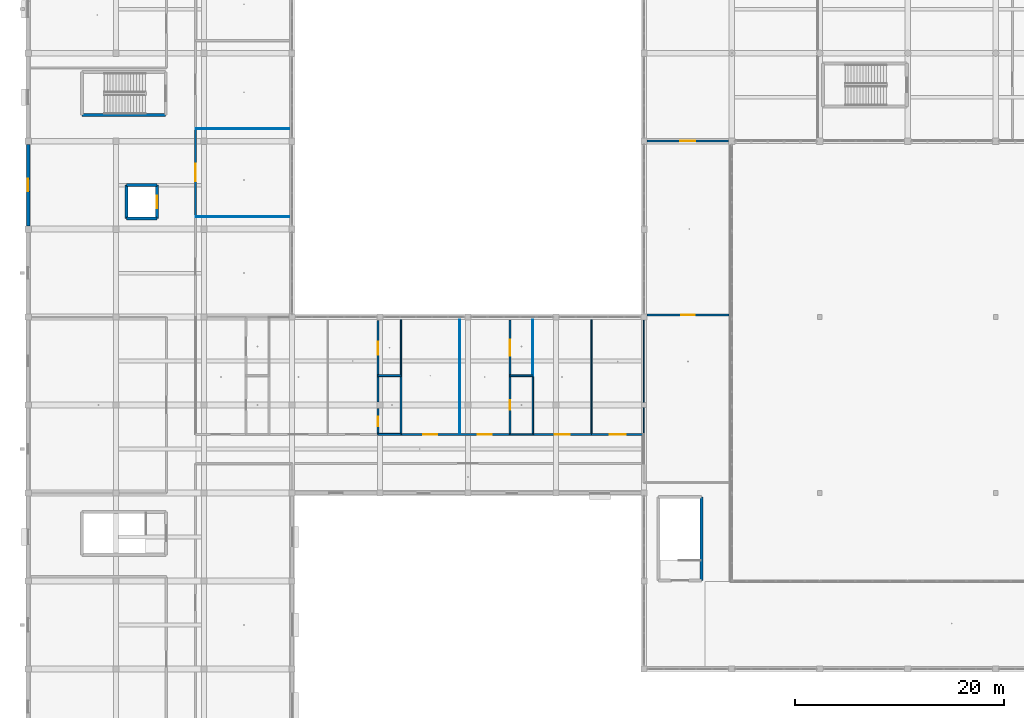
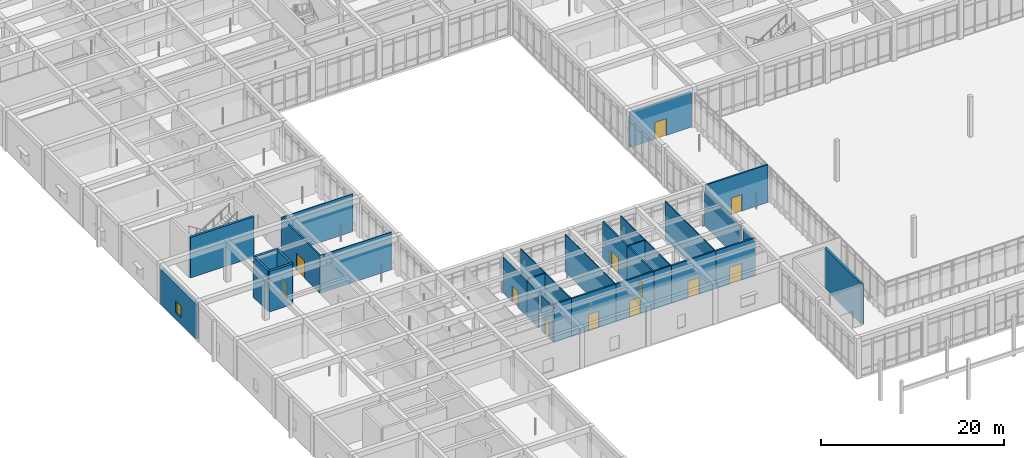
# One storey, part 77 of 157: 33 walls, 12 doors, 1 window, 13 openings.
"""IFC4 building model written with IfcOpenShell, lengths in metres."""

from ifc_helpers import new_model, si_unit, direction, frame, frame_2d, origin, place, context, subcontext, project, spatial, rectangle, extrude, material, layer, layer_set, type_object, element, fill, save


model = new_model("IFC4")

# Units and contexts
model_context = context("Model", 3, precision=1e-05, world=origin(), true_north=direction((0.0, 1.0)))
body_context = subcontext(model_context, "Body", "Model", "MODEL_VIEW")
ifc_project = project(units=[si_unit("LENGTHUNIT", "METRE"), si_unit("AREAUNIT", "SQUARE_METRE"), si_unit("VOLUMEUNIT", "CUBIC_METRE"), si_unit("PLANEANGLEUNIT", "RADIAN"), si_unit("MASSUNIT", "GRAM", prefix="KILO")], contexts=[model_context])

# Site, building, storey
site_placement = place(None, origin())
site = spatial("IfcSite", under=ifc_project, at=site_placement, CompositionType="ELEMENT")
building_placement = place(site_placement, origin())
building = spatial("IfcBuilding", under=site, at=building_placement, Name="Varncliffe General Hospital", CompositionType="ELEMENT")
storey_placement = place(building_placement, frame((0.0, 0.0, 5.39990234375)))
storey = spatial("IfcBuildingStorey", under=building, at=storey_placement, Name="L01", CompositionType="ELEMENT", Elevation=5.39990234375)

# Wall, opening, window
ifc_material_1 = material(Name="Precast concrete C40/50 with insulated cream lime-cement stucco", Category="concrete")
ifc_layer_1 = layer(ifc_material_1, 0.35009765625)
ifc_layer_set_1 = layer_set([ifc_layer_1], Name="Precast concrete C40/50 with insulated cream lime-cement stucco")
wall_type_1 = type_object("IfcWallType", Name="Exterior Insulated Stucco Wall EW37 (350mm)", PredefinedType="SOLIDWALL", material=ifc_layer_set_1)
wall_1_placement = place(storey_placement, frame((0.0, 49.498046875, 0.0), z_axis=(0.0, 0.0, 1.0), x_axis=(0.0, 1.0, 0.0)))
wall_1 = element("IfcWall", 1, at=wall_1_placement, inside=storey, type_object=wall_type_1, Name="L01 Exterior Stucco Wall EW37-103", PredefinedType="SOLIDWALL", context=body_context, shape_type="SweptSolid", body=[
    extrude(rectangle(XDim=7.803955078125, YDim=0.35009765625, at=frame_2d((3.90185546875, 0.0))), origin(), (0.0, 0.0, 1.0), 4.68017578125),
])
opening_1_placement = place(wall_1_placement, frame((3.302001953125, 0.0, 0.89990234375)))
opening_1 = element("IfcOpeningElement", 2, at=opening_1_placement, cuts=wall_1, Name="Opening WN33", PredefinedType="OPENING", context=body_context, shape_type="SweptSolid", body=[
    extrude(rectangle(XDim=1.199951171875, YDim=1.550048828125, at=frame_2d((0.60009765625, 0.77490234375))), frame((0.0, 0.18505859375, 0.0), z_axis=(0.0, -1.0, 0.0), x_axis=(1.0, 0.0, 0.0)), (0.0, 0.0, 1.0), 0.3701171875),
])
ifc_material_2 = material(Name="Triple low-E argon insulated vision glazing", Category="glass")
window_type = type_object("IfcWindowType", Name="Triple-Glazed Hospital Window WN33 (1200x1550)", PartitioningType="SINGLE_PANEL", PredefinedType="WINDOW", material=ifc_material_2)
window_placement = place(opening_1_placement, origin())
window = element("IfcWindow", 3, at=window_placement, inside=storey, type_object=window_type, Name="L01 Hospital Window WN33-54", OverallHeight=1.550048828125, OverallWidth=1.199951171875, PartitioningType="SINGLE_PANEL", PredefinedType="WINDOW", context=body_context, shape_type="SweptSolid", body=[
    extrude(rectangle(XDim=1.199951171875, YDim=1.550048828125, at=frame_2d((0.60009765625, 0.77490234375))), frame((0.0, 0.030029296875, 0.0), z_axis=(0.0, -1.0, 0.0), x_axis=(1.0, 0.0, 0.0)), (0.0, 0.0, 1.0), 0.06005859375),
])
fill(opening_1, window)

# Walls
ifc_material_3 = material(Name="Acoustic clinical gypsum stud partition assembly", Category="gypsum")
ifc_layer_2 = layer(ifc_material_3, 0.090087890625)
ifc_layer_set_2 = layer_set([ifc_layer_2], Name="Acoustic clinical gypsum stud partition assembly")
wall_type_2 = type_object("IfcWallType", Name="Interior Partitioning IW42 (90mm)", PredefinedType="PARTITIONING", material=ifc_layer_set_2)
for number, where, z_axis, x_axis, name in (
    (4, (16.0, 50.39990234375, 0.0), (0.0, 0.0, 1.0), (1.0, 0.0, 0.0), "L01 Interior Partition Wall IW42-471"),
    (5, (16.0, 58.800048828125, 0.0), (0.0, 0.0, 1.0), (1.0, 0.0, 0.0), "L01 Interior Partition Wall IW42-476"),
):
    element("IfcWall", number, at=place(storey_placement, frame(where, z_axis=z_axis, x_axis=x_axis)), inside=storey, type_object=wall_type_2, Name=name, PredefinedType="PARTITIONING", context=body_context, shape_type="SweptSolid", body=[
        extrude(rectangle(XDim=8.93994140625, YDim=0.090087890625, at=frame_2d((4.469970703125, 0.0))), origin(), (0.0, 0.0, 1.0), 5.050048828125),
    ])
wall_2_placement = place(storey_placement, frame((41.199951171875, 29.60009765625, 0.0), z_axis=(0.0, 0.0, 1.0), x_axis=(0.0, 1.0, 0.0)))
element("IfcWall", 6, at=wall_2_placement, inside=storey, type_object=wall_type_2, Name="L01 Interior Partition Wall IW42-726", PredefinedType="PARTITIONING", context=body_context, shape_type="SweptSolid", body=[
    extrude(rectangle(XDim=10.93994140625, YDim=0.090087890625, at=frame_2d((5.469970703125, 0.0))), origin(), (0.0, 0.0, 1.0), 5.050048828125),
])
wall_3_placement = place(storey_placement, frame((48.199951171875, 35.199951171875, 0.0), z_axis=(0.0, 0.0, 1.0), x_axis=(0.0, 1.0, 0.0)))
element("IfcWall", 7, at=wall_3_placement, inside=storey, type_object=wall_type_2, Name="L01 Interior Partition Wall IW42-736", PredefinedType="PARTITIONING", context=body_context, shape_type="SweptSolid", body=[
    extrude(rectangle(XDim=5.340087890625, YDim=0.090087890625, at=frame_2d((2.669921875, 0.0))), origin(), (0.0, 0.0, 1.0), 5.050048828125),
])
ifc_layer_3 = layer(ifc_material_3, 0.110107421875)
ifc_layer_set_3 = layer_set([ifc_layer_3], Name="Acoustic clinical gypsum stud partition assembly")
wall_type_3 = type_object("IfcWallType", Name="Interior Partitioning IW65 (110mm)", PredefinedType="PARTITIONING", material=ifc_layer_set_3)
wall_4_placement = place(storey_placement, frame((35.60009765625, 35.199951171875, 0.0), z_axis=(0.0, 0.0, 1.0), x_axis=(0.0, 1.0, 0.0)))
element("IfcWall", 8, at=wall_4_placement, inside=storey, type_object=wall_type_3, Name="L01 Interior Partition Wall IW65-722", PredefinedType="PARTITIONING", context=body_context, shape_type="SweptSolid", body=[
    extrude(rectangle(XDim=5.340087890625, YDim=0.110107421875, at=frame_2d((2.669921875, 0.0))), origin(), (0.0, 0.0, 1.0), 5.050048828125),
])
wall_5_placement = place(storey_placement, frame((53.800048828125, 29.60009765625, 0.0), z_axis=(0.0, 0.0, 1.0), x_axis=(0.0, 1.0, 0.0)))
element("IfcWall", 9, at=wall_5_placement, inside=storey, type_object=wall_type_3, Name="L01 Interior Partition Wall IW65-742", PredefinedType="PARTITIONING", context=body_context, shape_type="SweptSolid", body=[
    extrude(rectangle(XDim=10.93994140625, YDim=0.110107421875, at=frame_2d((5.469970703125, 0.0))), origin(), (0.0, 0.0, 1.0), 5.050048828125),
])
wall_6_placement = place(storey_placement, frame((58.800048828125, 32.639892578125, 0.0), z_axis=(0.0, 0.0, 1.0), x_axis=(0.0, 1.0, 0.0)))
element("IfcWall", 10, at=wall_6_placement, inside=storey, type_object=wall_type_3, Name="L01 Interior Partition Wall IW65-747", PredefinedType="PARTITIONING", context=body_context, shape_type="SweptSolid", body=[
    extrude(rectangle(XDim=7.84521484375, YDim=0.110107421875, at=frame_2d((3.922607421875, 0.0))), origin(), (0.0, 0.0, 1.0), 4.735107421875),
])
wall_7_placement = place(storey_placement, frame((58.800048828125, 29.60009765625, 0.0), z_axis=(0.0, 0.0, 1.0), x_axis=(0.0, 1.0, 0.0)))
element("IfcWall", 11, at=wall_7_placement, inside=storey, type_object=wall_type_3, Name="L01 Interior Partition Wall IW65-748", PredefinedType="PARTITIONING", context=body_context, shape_type="SweptSolid", body=[
    extrude(rectangle(XDim=2.559814453125, YDim=0.110107421875, at=frame_2d((1.27978515625, 0.0))), origin(), (0.0, 0.0, 1.0), 4.735107421875),
])

# Wall, opening, door
ifc_material_4 = material(Name="Fire-rated gypsum and mineral-wool partition assembly", Category="gypsum")
ifc_layer_4 = layer(ifc_material_4, 0.199951171875)
ifc_layer_set_4 = layer_set([ifc_layer_4], Name="Fire-rated gypsum and mineral-wool partition assembly")
wall_type_4 = type_object("IfcWallType", Name="Interior Partitioning PW63 (200mm)", PredefinedType="PARTITIONING", material=ifc_layer_set_4)
wall_8_placement = place(storey_placement, frame((35.60009765625, 29.60009765625, 0.0), z_axis=(0.0, 0.0, 1.0), x_axis=(1.0, 0.0, 0.0)))
wall_8 = element("IfcWall", 12, at=wall_8_placement, inside=storey, type_object=wall_type_4, Name="L01 Interior Partition Wall PW63-447", PredefinedType="PARTITIONING", context=body_context, shape_type="SweptSolid", body=[
    extrude(rectangle(XDim=5.599853515625, YDim=0.199951171875, at=frame_2d((2.7998046875, 0.0))), origin(), (0.0, 0.0, 1.0), 5.050048828125),
])
opening_2_placement = place(wall_8_placement, frame((2.14990234375, 0.0, 0.0)))
opening_2 = element("IfcOpeningElement", 13, at=opening_2_placement, cuts=wall_8, Name="Opening DC88", PredefinedType="OPENING", context=body_context, shape_type="SweptSolid", body=[
    extrude(rectangle(XDim=1.300048828125, YDim=2.199951171875, at=frame_2d((0.64990234375, 1.10009765625))), frame((0.0, 0.10986328125, 0.0), z_axis=(0.0, -1.0, 0.0), x_axis=(1.0, 0.0, 0.0)), (0.0, 0.0, 1.0), 0.219970703125),
])
ifc_material_5 = material(Name="Fire-rated hospital steel-frame vision-panel door", Category="steel")
door_type_1 = type_object("IfcDoorType", Name="Interior Hospital Door DC88 (1300x2200)", OperationType="NOTDEFINED", PredefinedType="DOOR", material=ifc_material_5)
door_1_placement = place(opening_2_placement, origin())
door_1 = element("IfcDoor", 14, at=door_1_placement, inside=storey, type_object=door_type_1, Name="L01 Emergency Short-Stay Treatment Bay 52 Door", OperationType="SINGLE_SWING_LEFT", OverallHeight=2.199951171875, OverallWidth=1.300048828125, PredefinedType="DOOR", context=body_context, shape_type="SweptSolid", body=[
    extrude(rectangle(XDim=1.300048828125, YDim=2.199951171875, at=frame_2d((0.64990234375, 1.10009765625))), frame((0.0, 0.02490234375, 0.0), z_axis=(0.0, -1.0, 0.0), x_axis=(1.0, 0.0, 0.0)), (0.0, 0.0, 1.0), 0.050048828125),
])
fill(opening_2, door_1)

wall_9_placement = place(storey_placement, frame((41.199951171875, 29.60009765625, 0.0), z_axis=(0.0, 0.0, 1.0), x_axis=(1.0, 0.0, 0.0)))
wall_9 = element("IfcWall", 15, at=wall_9_placement, inside=storey, type_object=wall_type_4, Name="L01 Interior Partition Wall PW63-448", PredefinedType="PARTITIONING", context=body_context, shape_type="SweptSolid", body=[
    extrude(rectangle(XDim=4.800048828125, YDim=0.199951171875, at=frame_2d((2.39990234375, 0.0))), origin(), (0.0, 0.0, 1.0), 5.050048828125),
])
opening_3_placement = place(wall_9_placement, frame((1.72509765625, 0.0, 0.0)))
opening_3 = element("IfcOpeningElement", 16, at=opening_3_placement, cuts=wall_9, Name="Opening DC85", PredefinedType="OPENING", context=body_context, shape_type="SweptSolid", body=[
    extrude(rectangle(XDim=1.35009765625, YDim=2.199951171875, at=frame_2d((0.675048828125, 1.10009765625))), frame((0.0, 0.10986328125, 0.0), z_axis=(0.0, -1.0, 0.0), x_axis=(1.0, 0.0, 0.0)), (0.0, 0.0, 1.0), 0.219970703125),
])
door_type_2 = type_object("IfcDoorType", Name="Interior Hospital Door DC85 (1350x2200)", OperationType="NOTDEFINED", PredefinedType="DOOR", material=ifc_material_5)
door_2_placement = place(opening_3_placement, origin())
door_2 = element("IfcDoor", 17, at=door_2_placement, inside=storey, type_object=door_type_2, Name="L01 Rapid Clinical Observation Room 53 Door", OperationType="SINGLE_SWING_RIGHT", OverallHeight=2.199951171875, OverallWidth=1.35009765625, PredefinedType="DOOR", context=body_context, shape_type="SweptSolid", body=[
    extrude(rectangle(XDim=1.35009765625, YDim=2.199951171875, at=frame_2d((0.675048828125, 1.10009765625))), frame((0.0, 0.02490234375, 0.0), z_axis=(0.0, -1.0, 0.0), x_axis=(1.0, 0.0, 0.0)), (0.0, 0.0, 1.0), 0.050048828125),
])
fill(opening_3, door_2)

wall_10_placement = place(storey_placement, frame((48.199951171875, 29.60009765625, 0.0), z_axis=(0.0, 0.0, 1.0), x_axis=(1.0, 0.0, 0.0)))
wall_10 = element("IfcWall", 18, at=wall_10_placement, inside=storey, type_object=wall_type_4, Name="L01 Interior Partition Wall PW63-450", PredefinedType="PARTITIONING", context=body_context, shape_type="SweptSolid", body=[
    extrude(rectangle(XDim=5.60009765625, YDim=0.199951171875, at=frame_2d((2.800048828125, 0.0))), origin(), (0.0, 0.0, 1.0), 5.050048828125),
])
opening_4_placement = place(wall_10_placement, frame((2.074951171875, 0.0, 0.0)))
opening_4 = element("IfcOpeningElement", 19, at=opening_4_placement, cuts=wall_10, Name="Opening DC66", PredefinedType="OPENING", context=body_context, shape_type="SweptSolid", body=[
    extrude(rectangle(XDim=1.449951171875, YDim=2.25, at=frame_2d((0.72509765625, 1.125))), frame((0.0, 0.10986328125, 0.0), z_axis=(0.0, -1.0, 0.0), x_axis=(1.0, 0.0, 0.0)), (0.0, 0.0, 1.0), 0.219970703125),
])
door_type_3 = type_object("IfcDoorType", Name="Interior Hospital Door DC66 (1450x2250)", OperationType="NOTDEFINED", PredefinedType="DOOR", material=ifc_material_5)
door_3_placement = place(opening_4_placement, origin())
door_3 = element("IfcDoor", 20, at=door_3_placement, inside=storey, type_object=door_type_3, Name="L01 Emergency Short-Stay Treatment Bay 56 Door", OperationType="SINGLE_SWING_LEFT", OverallHeight=2.25, OverallWidth=1.449951171875, PredefinedType="DOOR", context=body_context, shape_type="SweptSolid", body=[
    extrude(rectangle(XDim=1.449951171875, YDim=2.25, at=frame_2d((0.72509765625, 1.125))), frame((0.0, 0.02490234375, 0.0), z_axis=(0.0, -1.0, 0.0), x_axis=(1.0, 0.0, 0.0)), (0.0, 0.0, 1.0), 0.050048828125),
])
fill(opening_4, door_3)

wall_11_placement = place(storey_placement, frame((53.800048828125, 29.60009765625, 0.0), z_axis=(0.0, 0.0, 1.0), x_axis=(1.0, 0.0, 0.0)))
wall_11 = element("IfcWall", 21, at=wall_11_placement, inside=storey, type_object=wall_type_4, Name="L01 Interior Partition Wall PW63-451", PredefinedType="PARTITIONING", context=body_context, shape_type="SweptSolid", body=[
    extrude(rectangle(XDim=5.0, YDim=0.199951171875, at=frame_2d((2.5, 0.0))), origin(), (0.0, 0.0, 1.0), 5.050048828125),
])
opening_5_placement = place(wall_11_placement, frame((1.72509765625, 0.0, 0.0)))
opening_5 = element("IfcOpeningElement", 22, at=opening_5_placement, cuts=wall_11, Name="Opening DC67", PredefinedType="OPENING", context=body_context, shape_type="SweptSolid", body=[
    extrude(rectangle(XDim=1.550048828125, YDim=2.25, at=frame_2d((0.77490234375, 1.125))), frame((0.0, 0.10986328125, 0.0), z_axis=(0.0, -1.0, 0.0), x_axis=(1.0, 0.0, 0.0)), (0.0, 0.0, 1.0), 0.219970703125),
])
door_type_4 = type_object("IfcDoorType", Name="Interior Hospital Door DC67 (1550x2250)", OperationType="NOTDEFINED", PredefinedType="DOOR", material=ifc_material_5)
door_4_placement = place(opening_5_placement, origin())
door_4 = element("IfcDoor", 23, at=door_4_placement, inside=storey, type_object=door_type_4, Name="L01 Rapid Clinical Observation Room 57 Door", OperationType="SINGLE_SWING_RIGHT", OverallHeight=2.25, OverallWidth=1.550048828125, PredefinedType="DOOR", context=body_context, shape_type="SweptSolid", body=[
    extrude(rectangle(XDim=1.550048828125, YDim=2.25, at=frame_2d((0.77490234375, 1.125))), frame((0.0, 0.02490234375, 0.0), z_axis=(0.0, -1.0, 0.0), x_axis=(1.0, 0.0, 0.0)), (0.0, 0.0, 1.0), 0.050048828125),
])
fill(opening_5, door_4)

wall_12_placement = place(storey_placement, frame((59.114990234375, 41.0, 0.0), z_axis=(0.0, 0.0, 1.0), x_axis=(1.0, 0.0, 0.0)))
wall_12 = element("IfcWall", 24, at=wall_12_placement, inside=storey, type_object=wall_type_4, Name="L01 Interior Partition Wall PW63-467", PredefinedType="PARTITIONING", context=body_context, shape_type="SweptSolid", body=[
    extrude(rectangle(XDim=7.824951171875, YDim=0.199951171875, at=frame_2d((3.91259765625, 0.0))), origin(), (0.0, 0.0, 1.0), 5.050048828125),
])
opening_6_placement = place(wall_12_placement, frame((3.262451171875, 0.0, 0.0)))
opening_6 = element("IfcOpeningElement", 25, at=opening_6_placement, cuts=wall_12, Name="Opening DC88", PredefinedType="OPENING", context=body_context, shape_type="SweptSolid", body=[
    extrude(rectangle(XDim=1.300048828125, YDim=2.199951171875, at=frame_2d((0.64990234375, 1.10009765625))), frame((0.0, 0.10986328125, 0.0), z_axis=(0.0, -1.0, 0.0), x_axis=(1.0, 0.0, 0.0)), (0.0, 0.0, 1.0), 0.219970703125),
])
door_5_placement = place(opening_6_placement, frame((1.300048828125, 0.0, 0.0), z_axis=(0.0, 0.0, 1.0), x_axis=(-1.0, 0.0, 0.0)))
door_5 = element("IfcDoor", 26, at=door_5_placement, inside=storey, type_object=door_type_1, Name="L01 Interfaith Sanctuary Chapel Door", OperationType="SINGLE_SWING_RIGHT", OverallHeight=2.199951171875, OverallWidth=1.300048828125, PredefinedType="DOOR", context=body_context, shape_type="SweptSolid", body=[
    extrude(rectangle(XDim=1.300048828125, YDim=2.199951171875, at=frame_2d((0.64990234375, 1.10009765625))), frame((0.0, 0.02490234375, 0.0), z_axis=(0.0, -1.0, 0.0), x_axis=(1.0, 0.0, 0.0)), (0.0, 0.0, 1.0), 0.050048828125),
])
fill(opening_6, door_5)

wall_13_placement = place(storey_placement, frame((59.114990234375, 57.60009765625, 0.0), z_axis=(0.0, 0.0, 1.0), x_axis=(1.0, 0.0, 0.0)))
wall_13 = element("IfcWall", 27, at=wall_13_placement, inside=storey, type_object=wall_type_4, Name="L01 Interior Partition Wall PW63-474", PredefinedType="PARTITIONING", context=body_context, shape_type="SweptSolid", body=[
    extrude(rectangle(XDim=7.77001953125, YDim=0.199951171875, at=frame_2d((3.885009765625, 0.0))), origin(), (0.0, 0.0, 1.0), 4.68505859375),
])
opening_7_placement = place(wall_13_placement, frame((3.159912109375, 0.0, 0.0)))
opening_7 = element("IfcOpeningElement", 28, at=opening_7_placement, cuts=wall_13, Name="Opening DC66", PredefinedType="OPENING", context=body_context, shape_type="SweptSolid", body=[
    extrude(rectangle(XDim=1.449951171875, YDim=2.25, at=frame_2d((0.72509765625, 1.125))), frame((0.0, 0.10986328125, 0.0), z_axis=(0.0, -1.0, 0.0), x_axis=(1.0, 0.0, 0.0)), (0.0, 0.0, 1.0), 0.219970703125),
])
door_6_placement = place(opening_7_placement, frame((1.449951171875, 0.0, 0.0), z_axis=(0.0, 0.0, 1.0), x_axis=(-1.0, 0.0, 0.0)))
door_6 = element("IfcDoor", 29, at=door_6_placement, inside=storey, type_object=door_type_3, Name="L01 Family Meditation and Quiet Lounge Door", OperationType="SINGLE_SWING_RIGHT", OverallHeight=2.25, OverallWidth=1.449951171875, PredefinedType="DOOR", context=body_context, shape_type="SweptSolid", body=[
    extrude(rectangle(XDim=1.449951171875, YDim=2.25, at=frame_2d((0.72509765625, 1.125))), frame((0.0, 0.02490234375, 0.0), z_axis=(0.0, -1.0, 0.0), x_axis=(1.0, 0.0, 0.0)), (0.0, 0.0, 1.0), 0.050048828125),
])
fill(opening_7, door_6)

wall_14_placement = place(storey_placement, frame((16.0, 50.39990234375, 0.0), z_axis=(0.0, 0.0, 1.0), x_axis=(0.0, 1.0, 0.0)))
wall_14 = element("IfcWall", 30, at=wall_14_placement, inside=storey, type_object=wall_type_4, Name="L01 Interior Partition Wall PW63-688", PredefinedType="PARTITIONING", context=body_context, shape_type="SweptSolid", body=[
    extrude(rectangle(XDim=8.400146484375, YDim=0.199951171875, at=frame_2d((4.2001953125, 0.0))), origin(), (0.0, 0.0, 1.0), 5.050048828125),
])
opening_8_placement = place(wall_14_placement, frame((3.35009765625, 0.0, 0.0)))
opening_8 = element("IfcOpeningElement", 31, at=opening_8_placement, cuts=wall_14, Name="Opening DC50", PredefinedType="OPENING", context=body_context, shape_type="SweptSolid", body=[
    extrude(rectangle(XDim=1.699951171875, YDim=2.300048828125, at=frame_2d((0.85009765625, 1.14990234375))), frame((0.0, 0.10986328125, 0.0), z_axis=(0.0, -1.0, 0.0), x_axis=(1.0, 0.0, 0.0)), (0.0, 0.0, 1.0), 0.219970703125),
])
door_type_5 = type_object("IfcDoorType", Name="Interior Hospital Door DC50 (1700x2300)", OperationType="NOTDEFINED", PredefinedType="DOOR", material=ifc_material_5)
door_7_placement = place(opening_8_placement, frame((1.699951171875, 0.0, 0.0), z_axis=(0.0, 0.0, 1.0), x_axis=(-1.0, 0.0, 0.0)))
door_7 = element("IfcDoor", 32, at=door_7_placement, inside=storey, type_object=door_type_5, Name="L01 Transfusion Blood Bank Laboratory 65 Door", OperationType="SINGLE_SWING_LEFT", OverallHeight=2.300048828125, OverallWidth=1.699951171875, PredefinedType="DOOR", context=body_context, shape_type="SweptSolid", body=[
    extrude(rectangle(XDim=1.699951171875, YDim=2.300048828125, at=frame_2d((0.85009765625, 1.14990234375))), frame((0.0, 0.02490234375, 0.0), z_axis=(0.0, -1.0, 0.0), x_axis=(1.0, 0.0, 0.0)), (0.0, 0.0, 1.0), 0.050048828125),
])
fill(opening_8, door_7)

wall_15_placement = place(storey_placement, frame((33.39990234375, 29.60009765625, 0.0), z_axis=(0.0, 0.0, 1.0), x_axis=(0.0, 1.0, 0.0)))
wall_15 = element("IfcWall", 33, at=wall_15_placement, inside=storey, type_object=wall_type_4, Name="L01 Interior Partition Wall PW63-710", PredefinedType="PARTITIONING", context=body_context, shape_type="SweptSolid", body=[
    extrude(rectangle(XDim=2.48486328125, YDim=0.199951171875, at=frame_2d((1.242431640625, 0.0))), origin(), (0.0, 0.0, 1.0), 4.735107421875),
])
opening_9_placement = place(wall_15_placement, frame((0.782470703125, 0.0, 0.0)))
opening_9 = element("IfcOpeningElement", 34, at=opening_9_placement, cuts=wall_15, Name="Opening DI70", PredefinedType="OPENING", context=body_context, shape_type="SweptSolid", body=[
    extrude(rectangle(XDim=0.919921875, YDim=2.10009765625, at=frame_2d((0.4599609375, 1.050048828125))), frame((0.0, 0.10986328125, 0.0), z_axis=(0.0, -1.0, 0.0), x_axis=(1.0, 0.0, 0.0)), (0.0, 0.0, 1.0), 0.219970703125),
])
ifc_material_6 = material(Name="Solid-core antimicrobial hospital oak veneer door", Category="wood")
door_type_6 = type_object("IfcDoorType", Name="Interior Hospital Door DI70 (920x2100)", OperationType="NOTDEFINED", PredefinedType="DOOR", material=ifc_material_6)
door_8_placement = place(opening_9_placement, frame((0.919921875, 0.0, 0.0), z_axis=(0.0, 0.0, 1.0), x_axis=(-1.0, 0.0, 0.0)))
door_8 = element("IfcDoor", 35, at=door_8_placement, inside=storey, type_object=door_type_6, Name="L01 En-Suite Bathroom 50 Door", OperationType="SINGLE_SWING_LEFT", OverallHeight=2.10009765625, OverallWidth=0.919921875, PredefinedType="DOOR", context=body_context, shape_type="SweptSolid", body=[
    extrude(rectangle(XDim=0.919921875, YDim=2.10009765625, at=frame_2d((0.4599609375, 1.050048828125))), frame((0.0, 0.02490234375, 0.0), z_axis=(0.0, -1.0, 0.0), x_axis=(1.0, 0.0, 0.0)), (0.0, 0.0, 1.0), 0.050048828125),
])
fill(opening_9, door_8)

# Wall
wall_16_placement = place(storey_placement, frame((33.39990234375, 32.715087890625, 0.0), z_axis=(0.0, 0.0, 1.0), x_axis=(0.0, 1.0, 0.0)))
element("IfcWall", 36, at=wall_16_placement, inside=storey, type_object=wall_type_4, Name="L01 Interior Partition Wall PW63-711", PredefinedType="PARTITIONING", context=body_context, shape_type="SweptSolid", body=[
    extrude(rectangle(XDim=2.48486328125, YDim=0.199951171875, at=frame_2d((1.242431640625, 0.0))), origin(), (0.0, 0.0, 1.0), 4.735107421875),
])

# Wall, opening, door
wall_17_placement = place(storey_placement, frame((33.39990234375, 35.199951171875, 0.0), z_axis=(0.0, 0.0, 1.0), x_axis=(0.0, 1.0, 0.0)))
wall_17 = element("IfcWall", 37, at=wall_17_placement, inside=storey, type_object=wall_type_4, Name="L01 Interior Partition Wall PW63-712", PredefinedType="PARTITIONING", context=body_context, shape_type="SweptSolid", body=[
    extrude(rectangle(XDim=5.28515625, YDim=0.199951171875, at=frame_2d((2.642578125, 0.0))), origin(), (0.0, 0.0, 1.0), 4.735107421875),
])
opening_10_placement = place(wall_17_placement, frame((2.017578125, 0.0, 0.0)))
opening_10 = element("IfcOpeningElement", 38, at=opening_10_placement, cuts=wall_17, Name="Opening DC44", PredefinedType="OPENING", context=body_context, shape_type="SweptSolid", body=[
    extrude(rectangle(XDim=1.25, YDim=2.14990234375, at=frame_2d((0.625, 1.074951171875))), frame((0.0, 0.10986328125, 0.0), z_axis=(0.0, -1.0, 0.0), x_axis=(1.0, 0.0, 0.0)), (0.0, 0.0, 1.0), 0.219970703125),
])
door_type_7 = type_object("IfcDoorType", Name="Interior Hospital Door DC44 (1250x2150)", OperationType="NOTDEFINED", PredefinedType="DOOR", material=ifc_material_5)
door_9_placement = place(opening_10_placement, frame((1.25, 0.0, 0.0), z_axis=(0.0, 0.0, 1.0), x_axis=(-1.0, 0.0, 0.0)))
door_9 = element("IfcDoor", 39, at=door_9_placement, inside=storey, type_object=door_type_7, Name="L01 Patient Medication and Hygiene Bay 51 Door", OperationType="SINGLE_SWING_RIGHT", OverallHeight=2.14990234375, OverallWidth=1.25, PredefinedType="DOOR", context=body_context, shape_type="SweptSolid", body=[
    extrude(rectangle(XDim=1.25, YDim=2.14990234375, at=frame_2d((0.625, 1.074951171875))), frame((0.0, 0.02490234375, 0.0), z_axis=(0.0, -1.0, 0.0), x_axis=(1.0, 0.0, 0.0)), (0.0, 0.0, 1.0), 0.050048828125),
])
fill(opening_10, door_9)

wall_18_placement = place(storey_placement, frame((46.0, 29.60009765625, 0.0), z_axis=(0.0, 0.0, 1.0), x_axis=(0.0, 1.0, 0.0)))
wall_18 = element("IfcWall", 40, at=wall_18_placement, inside=storey, type_object=wall_type_4, Name="L01 Interior Partition Wall PW63-731", PredefinedType="PARTITIONING", context=body_context, shape_type="SweptSolid", body=[
    extrude(rectangle(XDim=5.599853515625, YDim=0.199951171875, at=frame_2d((2.7998046875, 0.0))), origin(), (0.0, 0.0, 1.0), 5.050048828125),
])
opening_11_placement = place(wall_18_placement, frame((2.340087890625, 0.0, 0.0)))
opening_11 = element("IfcOpeningElement", 41, at=opening_11_placement, cuts=wall_18, Name="Opening DI70", PredefinedType="OPENING", context=body_context, shape_type="SweptSolid", body=[
    extrude(rectangle(XDim=0.919921875, YDim=2.10009765625, at=frame_2d((0.4599609375, 1.050048828125))), frame((0.0, 0.10986328125, 0.0), z_axis=(0.0, -1.0, 0.0), x_axis=(1.0, 0.0, 0.0)), (0.0, 0.0, 1.0), 0.219970703125),
])
door_10_placement = place(opening_11_placement, frame((0.919921875, 0.0, 0.0), z_axis=(0.0, 0.0, 1.0), x_axis=(-1.0, 0.0, 0.0)))
door_10 = element("IfcDoor", 42, at=door_10_placement, inside=storey, type_object=door_type_6, Name="L01 En-Suite Bathroom 54 Door", OperationType="SINGLE_SWING_LEFT", OverallHeight=2.10009765625, OverallWidth=0.919921875, PredefinedType="DOOR", context=body_context, shape_type="SweptSolid", body=[
    extrude(rectangle(XDim=0.919921875, YDim=2.10009765625, at=frame_2d((0.4599609375, 1.050048828125))), frame((0.0, 0.02490234375, 0.0), z_axis=(0.0, -1.0, 0.0), x_axis=(1.0, 0.0, 0.0)), (0.0, 0.0, 1.0), 0.050048828125),
])
fill(opening_11, door_10)

wall_19_placement = place(storey_placement, frame((46.0, 35.199951171875, 0.0), z_axis=(0.0, 0.0, 1.0), x_axis=(0.0, 1.0, 0.0)))
wall_19 = element("IfcWall", 43, at=wall_19_placement, inside=storey, type_object=wall_type_4, Name="L01 Interior Partition Wall PW63-732", PredefinedType="PARTITIONING", context=body_context, shape_type="SweptSolid", body=[
    extrude(rectangle(XDim=5.340087890625, YDim=0.199951171875, at=frame_2d((2.669921875, 0.0))), origin(), (0.0, 0.0, 1.0), 5.050048828125),
])
opening_12_placement = place(wall_19_placement, frame((1.89501953125, 0.0, 0.0)))
opening_12 = element("IfcOpeningElement", 44, at=opening_12_placement, cuts=wall_19, Name="Opening DC67", PredefinedType="OPENING", context=body_context, shape_type="SweptSolid", body=[
    extrude(rectangle(XDim=1.550048828125, YDim=2.25, at=frame_2d((0.77490234375, 1.125))), frame((0.0, 0.10986328125, 0.0), z_axis=(0.0, -1.0, 0.0), x_axis=(1.0, 0.0, 0.0)), (0.0, 0.0, 1.0), 0.219970703125),
])
door_11_placement = place(opening_12_placement, frame((1.550048828125, 0.0, 0.0), z_axis=(0.0, 0.0, 1.0), x_axis=(-1.0, 0.0, 0.0)))
door_11 = element("IfcDoor", 45, at=door_11_placement, inside=storey, type_object=door_type_4, Name="L01 Patient Medication and Hygiene Bay 55 Door", OperationType="SINGLE_SWING_RIGHT", OverallHeight=2.25, OverallWidth=1.550048828125, PredefinedType="DOOR", context=body_context, shape_type="SweptSolid", body=[
    extrude(rectangle(XDim=1.550048828125, YDim=2.25, at=frame_2d((0.77490234375, 1.125))), frame((0.0, 0.02490234375, 0.0), z_axis=(0.0, -1.0, 0.0), x_axis=(1.0, 0.0, 0.0)), (0.0, 0.0, 1.0), 0.050048828125),
])
fill(opening_12, door_11)

# Walls
ifc_material_7 = material(Name="Moisture-resistant plumbing chase wall assembly", Category="gypsum")
ifc_layer_5 = layer(ifc_material_7, 0.18994140625)
ifc_layer_set_5 = layer_set([ifc_layer_5], Name="Moisture-resistant plumbing chase wall assembly")
wall_type_5 = type_object("IfcWallType", Name="Interior Plumbingwall MW17 (190mm)", PredefinedType="PLUMBINGWALL", material=ifc_layer_set_5)
for number, where, z_axis, x_axis, name in (
    (46, (33.39990234375, 29.60009765625, 0.0), (0.0, 0.0, 1.0), (1.0, 0.0, 0.0), "L01 Interior Plumbing Wall MW17-446"),
    (47, (33.39990234375, 35.199951171875, 0.0), (0.0, 0.0, 1.0), (1.0, 0.0, 0.0), "L01 Interior Plumbing Wall MW17-458"),
):
    element("IfcWall", number, at=place(storey_placement, frame(where, z_axis=z_axis, x_axis=x_axis)), inside=storey, type_object=wall_type_5, Name=name, PredefinedType="PLUMBINGWALL", context=body_context, shape_type="SweptSolid", body=[
        extrude(rectangle(XDim=2.2001953125, YDim=0.18994140625, at=frame_2d((1.10009765625, 0.0))), origin(), (0.0, 0.0, 1.0), 5.050048828125),
    ])
ifc_layer_6 = layer(ifc_material_7, 0.159912109375)
ifc_layer_set_6 = layer_set([ifc_layer_6], Name="Moisture-resistant plumbing chase wall assembly")
wall_type_6 = type_object("IfcWallType", Name="Interior Plumbingwall MW31 (160mm)", PredefinedType="PLUMBINGWALL", material=ifc_layer_set_6)
for number, where, z_axis, x_axis, name in (
    (48, (46.0, 29.60009765625, 0.0), (0.0, 0.0, 1.0), (1.0, 0.0, 0.0), "L01 Interior Plumbing Wall MW31-449"),
    (49, (46.0, 35.199951171875, 0.0), (0.0, 0.0, 1.0), (1.0, 0.0, 0.0), "L01 Interior Plumbing Wall MW31-459"),
):
    element("IfcWall", number, at=place(storey_placement, frame(where, z_axis=z_axis, x_axis=x_axis)), inside=storey, type_object=wall_type_6, Name=name, PredefinedType="PLUMBINGWALL", context=body_context, shape_type="SweptSolid", body=[
        extrude(rectangle(XDim=2.199951171875, YDim=0.159912109375, at=frame_2d((1.10009765625, 0.0))), origin(), (0.0, 0.0, 1.0), 5.050048828125),
    ])
for number, where, z_axis, x_axis, name in (
    (50, (35.60009765625, 29.60009765625, 0.0), (0.0, 0.0, 1.0), (0.0, 1.0, 0.0), "L01 Interior Plumbing Wall MW31-721"),
    (51, (48.199951171875, 29.60009765625, 0.0), (0.0, 0.0, 1.0), (0.0, 1.0, 0.0), "L01 Interior Plumbing Wall MW31-735"),
):
    element("IfcWall", number, at=place(storey_placement, frame(where, z_axis=z_axis, x_axis=x_axis)), inside=storey, type_object=wall_type_6, Name=name, PredefinedType="PLUMBINGWALL", context=body_context, shape_type="SweptSolid", body=[
        extrude(rectangle(XDim=5.599853515625, YDim=0.159912109375, at=frame_2d((2.7998046875, 0.0))), origin(), (0.0, 0.0, 1.0), 5.050048828125),
    ])
ifc_material_8 = material(Name="Concrete C40/50 (CSA A23.1 40 MPa)", Category="concrete")
ifc_layer_7 = layer(ifc_material_8, 0.300048828125)
ifc_layer_set_7 = layer_set([ifc_layer_7], Name="Concrete C40/50 (CSA A23.1 40 MPa)")
wall_type_7 = type_object("IfcWallType", Name="Reinforced Concrete Core Shear Wall CW12 (300mm)", PredefinedType="SHEAR", material=ifc_layer_set_7)
wall_20_placement = place(storey_placement, frame((9.39990234375, 50.199951171875, 0.0), z_axis=(0.0, 0.0, 1.0), x_axis=(1.0, 0.0, 0.0)))
element("IfcWall", 52, at=wall_20_placement, inside=storey, type_object=wall_type_7, Name="L01 LF06 Elevator Shaft Wall South", PredefinedType="SHEAR", context=body_context, shape_type="SweptSolid", body=[
    extrude(rectangle(XDim=2.900146484375, YDim=0.300048828125, at=frame_2d((1.4501953125, 0.0))), origin(), (0.0, 0.0, 1.0), 5.400146484375),
])

# Wall, opening, door
wall_21_placement = place(storey_placement, frame((12.300048828125, 50.199951171875, 0.0), z_axis=(0.0, 0.0, 1.0), x_axis=(0.0, 1.0, 0.0)))
wall_21 = element("IfcWall", 53, at=wall_21_placement, inside=storey, type_object=wall_type_7, Name="L01 LF06 Elevator Shaft Wall East", PredefinedType="SHEAR", context=body_context, shape_type="SweptSolid", body=[
    extrude(rectangle(XDim=3.199951171875, YDim=0.300048828125, at=frame_2d((1.60009765625, 0.0))), origin(), (0.0, 0.0, 1.0), 5.400146484375),
])
opening_13_placement = place(wall_21_placement, frame((1.0, 0.0, 0.0)))
opening_13 = element("IfcOpeningElement", 54, at=opening_13_placement, cuts=wall_21, Name="Opening LD01", PredefinedType="OPENING", context=body_context, shape_type="SweptSolid", body=[
    extrude(rectangle(XDim=1.199951171875, YDim=2.199951171875, at=frame_2d((0.60009765625, 1.10009765625))), frame((0.0, 0.16015625, 0.0), z_axis=(0.0, -1.0, 0.0), x_axis=(1.0, 0.0, 0.0)), (0.0, 0.0, 1.0), 0.320068359375),
])
ifc_material_9 = material(Name="Brushed stainless-steel sliding elevator landing door", Category="steel")
door_type_8 = type_object("IfcDoorType", Name="Lift Landing Door LD01 (1200x2200)", OperationType="DOUBLE_DOOR_SLIDING", PredefinedType="DOOR", material=ifc_material_9)
door_12_placement = place(opening_13_placement, origin())
door_12 = element("IfcDoor", 55, at=door_12_placement, inside=storey, type_object=door_type_8, Name="Lift Landing Door LF06 L01", OperationType="DOUBLE_DOOR_SLIDING", OverallHeight=2.199951171875, OverallWidth=1.199951171875, PredefinedType="DOOR", context=body_context, shape_type="SweptSolid", body=[
    extrude(rectangle(XDim=1.199951171875, YDim=2.199951171875, at=frame_2d((0.60009765625, 1.10009765625))), frame((0.0, 0.02490234375, 0.0), z_axis=(0.0, -1.0, 0.0), x_axis=(1.0, 0.0, 0.0)), (0.0, 0.0, 1.0), 0.050048828125),
])
fill(opening_13, door_12)

# Walls
wall_22_placement = place(storey_placement, frame((12.300048828125, 53.39990234375, 0.0), z_axis=(0.0, 0.0, 1.0), x_axis=(-1.0, 0.0, 0.0)))
element("IfcWall", 56, at=wall_22_placement, inside=storey, type_object=wall_type_7, Name="L01 LF06 Elevator Shaft Wall North", PredefinedType="SHEAR", context=body_context, shape_type="SweptSolid", body=[
    extrude(rectangle(XDim=2.900146484375, YDim=0.300048828125, at=frame_2d((1.4501953125, 0.0))), origin(), (0.0, 0.0, 1.0), 5.400146484375),
])
wall_23_placement = place(storey_placement, frame((9.39990234375, 53.39990234375, 0.0), z_axis=(0.0, 0.0, 1.0), x_axis=(0.0, -1.0, 0.0)))
element("IfcWall", 57, at=wall_23_placement, inside=storey, type_object=wall_type_7, Name="L01 LF06 Elevator Shaft Wall West", PredefinedType="SHEAR", context=body_context, shape_type="SweptSolid", body=[
    extrude(rectangle(XDim=3.199951171875, YDim=0.300048828125, at=frame_2d((1.60009765625, 0.0))), origin(), (0.0, 0.0, 1.0), 5.400146484375),
])
ifc_layer_8 = layer(ifc_material_8, 0.280029296875)
ifc_layer_set_8 = layer_set([ifc_layer_8], Name="Concrete C40/50 (CSA A23.1 40 MPa)")
wall_type_8 = type_object("IfcWallType", Name="Reinforced Concrete Core Shear Wall CW13 (280mm)", PredefinedType="SHEAR", material=ifc_layer_set_8)
for number, where, z_axis, x_axis, name in (
    (58, (5.159912109375, 60.110107421875, 0.0), (0.0, 0.0, 1.0), (1.0, 0.0, 0.0), "L01 ST05 Core Shear Wall R"),
    (59, (64.2900390625, 15.659912109375, 0.0), (0.0, 0.0, 1.0), (0.0, 1.0, 0.0), "L01 ST09 Core Shear Wall L"),
):
    element("IfcWall", number, at=place(storey_placement, frame(where, z_axis=z_axis, x_axis=x_axis)), inside=storey, type_object=wall_type_8, Name=name, PredefinedType="SHEAR", context=body_context, shape_type="SweptSolid", body=[
        extrude(rectangle(XDim=7.97998046875, YDim=0.280029296875, at=frame_2d((3.989990234375, 0.0))), origin(), (0.0, 0.0, 1.0), 5.400146484375),
    ])

save(model, "model.ifc")
